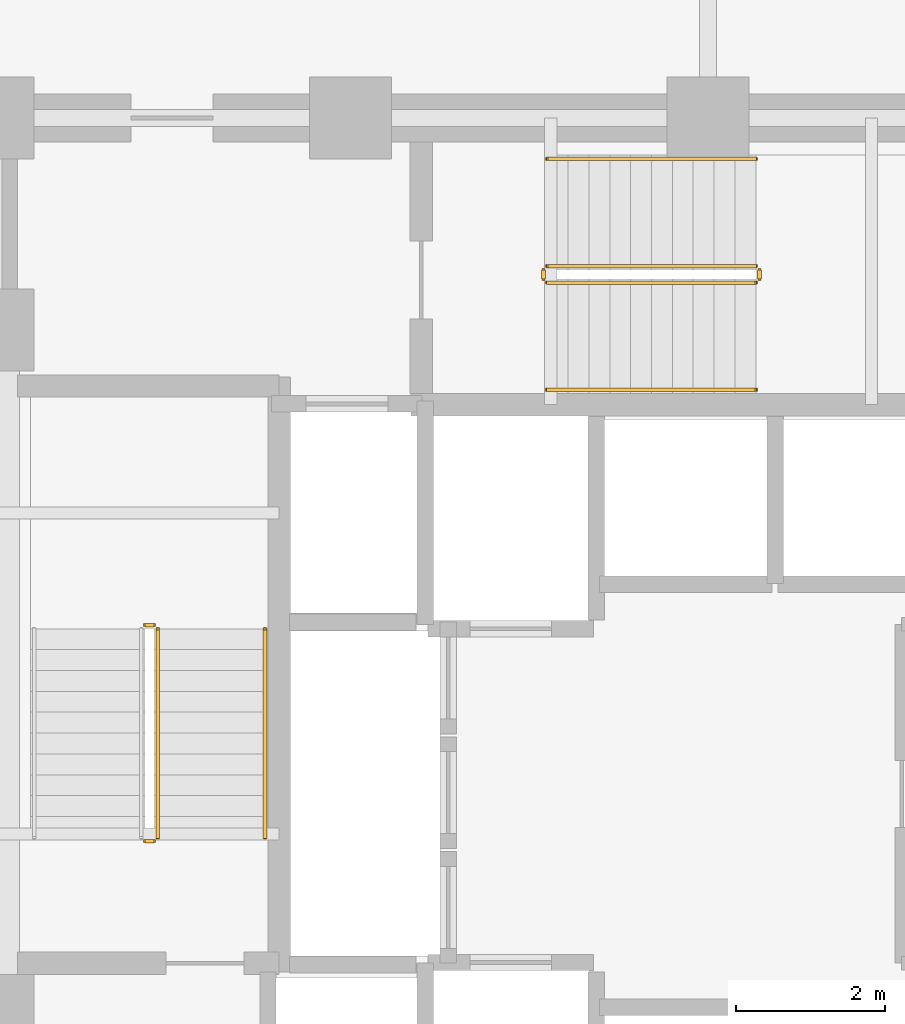
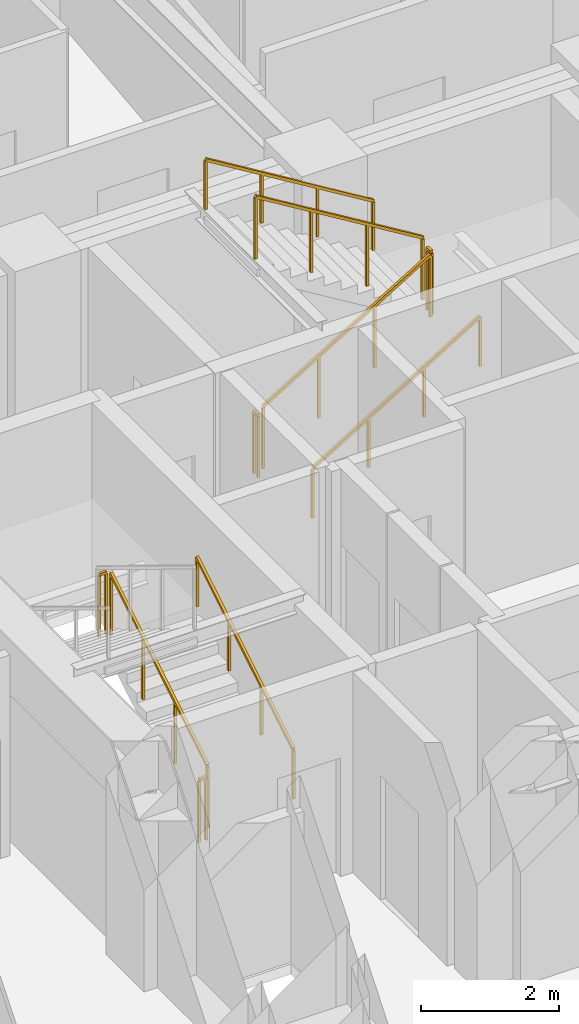
# One storey, part 27 of 30: 10 railings.
"""IFC4 building model written with IfcOpenShell, lengths in metres."""

from ifc_helpers import new_model, si_unit, direction, frame, origin, origin_2d, place, context, subcontext, project, spatial, rectangle, extrude, material, type_object, element, save


model = new_model("IFC4")

# Units and contexts
model_context = context("Model", 3, precision=1e-05, world=origin(), true_north=direction((0.0, 1.0)))
body_context = subcontext(model_context, "Body", "Model", "MODEL_VIEW")
ifc_project = project(units=[si_unit("LENGTHUNIT", "METRE"), si_unit("AREAUNIT", "SQUARE_METRE"), si_unit("VOLUMEUNIT", "CUBIC_METRE"), si_unit("PLANEANGLEUNIT", "RADIAN"), si_unit("MASSUNIT", "GRAM", prefix="KILO")], contexts=[model_context])

# Site, building, storey
site_placement = place(None, origin())
site = spatial("IfcSite", under=ifc_project, at=site_placement, CompositionType="ELEMENT")
building_placement = place(site_placement, origin())
building = spatial("IfcBuilding", under=site, at=building_placement, Name="Vantalir Tower", CompositionType="ELEMENT")
storey_placement = place(building_placement, frame((0.0, 0.0, 57.0)))
storey = spatial("IfcBuildingStorey", under=building, at=storey_placement, Name="L13", CompositionType="ELEMENT", Elevation=57.0)

# Railings
ifc_material_1 = material(Name="Anodised aluminium and stainless steel guard", Category="steel")
railing_type_1 = type_object("IfcRailingType", Name="RAL-GUARD-1120", PredefinedType="GUARDRAIL", material=ifc_material_1)
railing_1_placement = place(storey_placement, frame((24.110107421875, 22.7900390625, 0.17041015625)))
element("IfcRailing", 1, at=railing_1_placement, inside=storey, type_object=railing_type_1, Name="L13 ST1 stair guard 1", PredefinedType="GUARDRAIL", context=body_context, shape_type="SweptSolid", body=[
    extrude(rectangle(XDim=0.048095703125, YDim=0.048095703125, at=origin_2d()), frame((0.0, 0.0, 1.09619140625), z_axis=(0.0, 0.854169791009, 0.51999420009), x_axis=(-1.0, 0.0, 0.0)), (0.0, 0.0, 1.0), 3.278076171875),
    extrude(rectangle(XDim=0.0419921875, YDim=0.0419921875, at=origin_2d()), origin(), (0.0, 0.0, 1.0), 1.072021484375),
    extrude(rectangle(XDim=0.0419921875, YDim=0.0419921875, at=origin_2d()), frame((0.0, 0.933349609375, 0.568115234375)), (0.0, 0.0, 1.0), 1.072021484375),
    extrude(rectangle(XDim=0.0419921875, YDim=0.0419921875, at=origin_2d()), frame((0.0, 1.86669921875, 1.136474609375)), (0.0, 0.0, 1.0), 1.072021484375),
    extrude(rectangle(XDim=0.0419921875, YDim=0.0419921875, at=origin_2d()), frame((0.0, 2.800048828125, 1.70458984375)), (0.0, 0.0, 1.0), 1.072021484375),
])
for number, where, name in (
    (2, (24.06005859375, 25.639892578125, 1.875), "L13 ST1 stair guard 2"),
    (3, (24.06005859375, 22.739990234375, 0.0), "L13 ST1 stair guard 4"),
):
    element("IfcRailing", number, at=place(storey_placement, frame(where)), inside=storey, type_object=railing_type_1, Name=name, PredefinedType="GUARDRAIL", context=body_context, shape_type="SweptSolid", body=[
        extrude(rectangle(XDim=0.048095703125, YDim=0.048095703125, at=origin_2d()), frame((0.0, 0.0, 1.09619140625), z_axis=(-1.0, 0.0, 0.0), x_axis=(0.0, -1.0, 0.0)), (0.0, 0.0, 1.0), 0.1201171875),
        extrude(rectangle(XDim=0.0419921875, YDim=0.0419921875, at=origin_2d()), origin(), (0.0, 0.0, 1.0), 1.072021484375),
        extrude(rectangle(XDim=0.0419921875, YDim=0.0419921875, at=origin_2d()), frame((-0.1201171875, 0.0, 0.0)), (0.0, 0.0, 1.0), 1.072021484375),
    ])
railing_2_placement = place(storey_placement, frame((29.340087890625, 30.239990234375, 0.17041015625)))
element("IfcRailing", 4, at=railing_2_placement, inside=storey, type_object=railing_type_1, Name="L13 ST3 stair guard 1", PredefinedType="GUARDRAIL", context=body_context, shape_type="SweptSolid", body=[
    extrude(rectangle(XDim=0.048095703125, YDim=0.048095703125, at=origin_2d()), frame((0.0, 0.0, 1.09619140625), z_axis=(0.854149651119, 0.0, 0.520027281489), x_axis=(0.0, 1.0, 0.0)), (0.0, 0.0, 1.0), 3.27783203125),
    extrude(rectangle(XDim=0.0419921875, YDim=0.0419921875, at=origin_2d()), origin(), (0.0, 0.0, 1.0), 1.072021484375),
    extrude(rectangle(XDim=0.0419921875, YDim=0.0419921875, at=origin_2d()), frame((0.933349609375, 0.0, 0.568115234375)), (0.0, 0.0, 1.0), 1.072021484375),
    extrude(rectangle(XDim=0.0419921875, YDim=0.0419921875, at=origin_2d()), frame((1.866455078125, 0.0, 1.136474609375)), (0.0, 0.0, 1.0), 1.072021484375),
    extrude(rectangle(XDim=0.0419921875, YDim=0.0419921875, at=origin_2d()), frame((2.7998046875, 0.0, 1.70458984375)), (0.0, 0.0, 1.0), 1.072021484375),
])
railing_3_placement = place(storey_placement, frame((32.18994140625, 30.2900390625, 1.875)))
element("IfcRailing", 5, at=railing_3_placement, inside=storey, type_object=railing_type_1, Name="L13 ST3 stair guard 2", PredefinedType="GUARDRAIL", context=body_context, shape_type="SweptSolid", body=[
    extrude(rectangle(XDim=0.048095703125, YDim=0.048095703125, at=origin_2d()), frame((0.0, 0.0, 1.09619140625), z_axis=(0.0, 1.0, 0.0), x_axis=(-1.0, 0.0, 0.0)), (0.0, 0.0, 1.0), 0.119873046875),
    extrude(rectangle(XDim=0.0419921875, YDim=0.0419921875, at=origin_2d()), origin(), (0.0, 0.0, 1.0), 1.072021484375),
    extrude(rectangle(XDim=0.0419921875, YDim=0.0419921875, at=origin_2d()), frame((0.0, 0.119873046875, 0.0)), (0.0, 0.0, 1.0), 1.072021484375),
])
railing_4_placement = place(storey_placement, frame((32.139892578125, 30.4599609375, 2.04541015625)))
element("IfcRailing", 6, at=railing_4_placement, inside=storey, type_object=railing_type_1, Name="L13 ST3 stair guard 3", PredefinedType="GUARDRAIL", context=body_context, shape_type="SweptSolid", body=[
    extrude(rectangle(XDim=0.048095703125, YDim=0.048095703125, at=origin_2d()), frame((0.0, 0.0, 1.09619140625), z_axis=(-0.854149651119, 0.0, 0.520027281489), x_axis=(0.0, -1.0, 0.0)), (0.0, 0.0, 1.0), 3.27783203125),
    extrude(rectangle(XDim=0.0419921875, YDim=0.0419921875, at=origin_2d()), origin(), (0.0, 0.0, 1.0), 1.072021484375),
    extrude(rectangle(XDim=0.0419921875, YDim=0.0419921875, at=origin_2d()), frame((-0.933349609375, 0.0, 0.568115234375)), (0.0, 0.0, 1.0), 1.072021484375),
    extrude(rectangle(XDim=0.0419921875, YDim=0.0419921875, at=origin_2d()), frame((-1.866455078125, 0.0, 1.136474609375)), (0.0, 0.0, 1.0), 1.072021484375),
    extrude(rectangle(XDim=0.0419921875, YDim=0.0419921875, at=origin_2d()), frame((-2.7998046875, 0.0, 1.70458984375)), (0.0, 0.0, 1.0), 1.072021484375),
])
railing_5_placement = place(storey_placement, frame((29.2900390625, 30.2900390625, 0.0)))
element("IfcRailing", 7, at=railing_5_placement, inside=storey, type_object=railing_type_1, Name="L13 ST3 stair guard 4", PredefinedType="GUARDRAIL", context=body_context, shape_type="SweptSolid", body=[
    extrude(rectangle(XDim=0.048095703125, YDim=0.048095703125, at=origin_2d()), frame((0.0, 0.0, 1.09619140625), z_axis=(0.0, 1.0, 0.0), x_axis=(-1.0, 0.0, 0.0)), (0.0, 0.0, 1.0), 0.119873046875),
    extrude(rectangle(XDim=0.0419921875, YDim=0.0419921875, at=origin_2d()), origin(), (0.0, 0.0, 1.0), 1.072021484375),
    extrude(rectangle(XDim=0.0419921875, YDim=0.0419921875, at=origin_2d()), frame((0.0, 0.119873046875, 0.0)), (0.0, 0.0, 1.0), 1.072021484375),
])
ifc_material_2 = material(Name="Brushed stainless steel tubular handrail", Category="steel")
railing_type_2 = type_object("IfcRailingType", Name="RAL-HANDRAIL-900", PredefinedType="HANDRAIL", material=ifc_material_2)
railing_6_placement = place(storey_placement, frame((25.550048828125, 22.7900390625, 0.17041015625)))
element("IfcRailing", 8, at=railing_6_placement, inside=storey, type_object=railing_type_2, Name="L13 ST1 stair handrail 1", PredefinedType="HANDRAIL", context=body_context, shape_type="SweptSolid", body=[
    extrude(rectangle(XDim=0.048095703125, YDim=0.048095703125, at=origin_2d()), frame((0.0, 0.0, 0.8759765625), z_axis=(0.0, 0.854169791009, 0.51999420009), x_axis=(-1.0, 0.0, 0.0)), (0.0, 0.0, 1.0), 3.278076171875),
    extrude(rectangle(XDim=0.0419921875, YDim=0.0419921875, at=origin_2d()), origin(), (0.0, 0.0, 1.0), 0.851806640625),
    extrude(rectangle(XDim=0.0419921875, YDim=0.0419921875, at=origin_2d()), frame((0.0, 0.933349609375, 0.568115234375)), (0.0, 0.0, 1.0), 0.851806640625),
    extrude(rectangle(XDim=0.0419921875, YDim=0.0419921875, at=origin_2d()), frame((0.0, 1.86669921875, 1.136474609375)), (0.0, 0.0, 1.0), 0.851806640625),
    extrude(rectangle(XDim=0.0419921875, YDim=0.0419921875, at=origin_2d()), frame((0.0, 2.800048828125, 1.70458984375)), (0.0, 0.0, 1.0), 0.851806640625),
])
railing_7_placement = place(storey_placement, frame((29.340087890625, 28.800048828125, 0.17041015625)))
element("IfcRailing", 9, at=railing_7_placement, inside=storey, type_object=railing_type_2, Name="L13 ST3 stair handrail 1", PredefinedType="HANDRAIL", context=body_context, shape_type="SweptSolid", body=[
    extrude(rectangle(XDim=0.048095703125, YDim=0.048095703125, at=origin_2d()), frame((0.0, 0.0, 0.8759765625), z_axis=(0.854149651119, 0.0, 0.520027281489), x_axis=(0.0, 1.0, 0.0)), (0.0, 0.0, 1.0), 3.27783203125),
    extrude(rectangle(XDim=0.0419921875, YDim=0.0419921875, at=origin_2d()), origin(), (0.0, 0.0, 1.0), 0.851806640625),
    extrude(rectangle(XDim=0.0419921875, YDim=0.0419921875, at=origin_2d()), frame((0.933349609375, 0.0, 0.568115234375)), (0.0, 0.0, 1.0), 0.851806640625),
    extrude(rectangle(XDim=0.0419921875, YDim=0.0419921875, at=origin_2d()), frame((1.866455078125, 0.0, 1.136474609375)), (0.0, 0.0, 1.0), 0.851806640625),
    extrude(rectangle(XDim=0.0419921875, YDim=0.0419921875, at=origin_2d()), frame((2.7998046875, 0.0, 1.70458984375)), (0.0, 0.0, 1.0), 0.851806640625),
])
railing_8_placement = place(storey_placement, frame((32.139892578125, 31.89990234375, 2.04541015625)))
element("IfcRailing", 10, at=railing_8_placement, inside=storey, type_object=railing_type_2, Name="L13 ST3 stair handrail 2", PredefinedType="HANDRAIL", context=body_context, shape_type="SweptSolid", body=[
    extrude(rectangle(XDim=0.048095703125, YDim=0.048095703125, at=origin_2d()), frame((0.0, 0.0, 0.8759765625), z_axis=(-0.854149651119, 0.0, 0.520027281489), x_axis=(0.0, -1.0, 0.0)), (0.0, 0.0, 1.0), 3.27783203125),
    extrude(rectangle(XDim=0.0419921875, YDim=0.0419921875, at=origin_2d()), origin(), (0.0, 0.0, 1.0), 0.851806640625),
    extrude(rectangle(XDim=0.0419921875, YDim=0.0419921875, at=origin_2d()), frame((-0.933349609375, 0.0, 0.568115234375)), (0.0, 0.0, 1.0), 0.851806640625),
    extrude(rectangle(XDim=0.0419921875, YDim=0.0419921875, at=origin_2d()), frame((-1.866455078125, 0.0, 1.136474609375)), (0.0, 0.0, 1.0), 0.851806640625),
    extrude(rectangle(XDim=0.0419921875, YDim=0.0419921875, at=origin_2d()), frame((-2.7998046875, 0.0, 1.70458984375)), (0.0, 0.0, 1.0), 0.851806640625),
])

save(model, "model.ifc")
